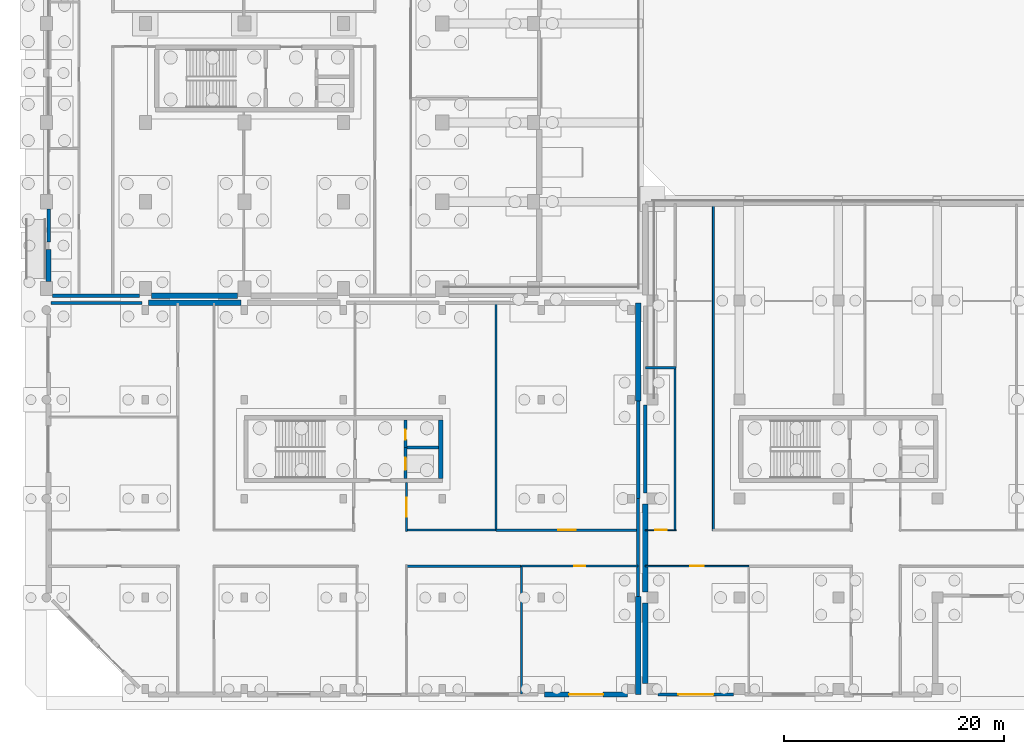
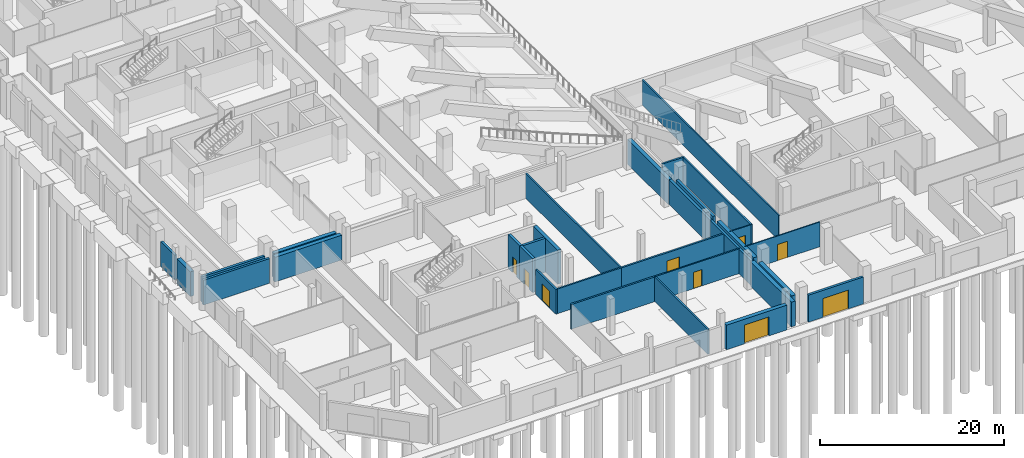
# One storey, part 14 of 53: 31 walls, 9 doors, 9 openings.
"""IFC4 building model written with IfcOpenShell, lengths in metres."""

from ifc_helpers import new_model, si_unit, direction, frame, frame_2d, origin, place, context, subcontext, project, spatial, rectangle, extrude, material, layer, layer_set, type_object, element, fill, save


model = new_model("IFC4")

# Units and contexts
model_context = context("Model", 3, precision=1e-05, world=origin(), true_north=direction((0.0, 1.0)))
body_context = subcontext(model_context, "Body", "Model", "MODEL_VIEW")
ifc_project = project(units=[si_unit("LENGTHUNIT", "METRE"), si_unit("AREAUNIT", "SQUARE_METRE"), si_unit("VOLUMEUNIT", "CUBIC_METRE"), si_unit("PLANEANGLEUNIT", "RADIAN"), si_unit("MASSUNIT", "GRAM", prefix="KILO"), si_unit("THERMODYNAMICTEMPERATUREUNIT", "KELVIN"), si_unit("POWERUNIT", "WATT")], contexts=[model_context])

# Site, building, storey
site_placement = place(None, origin())
site = spatial("IfcSite", under=ifc_project, at=site_placement, CompositionType="ELEMENT")
building_placement = place(site_placement, origin())
building = spatial("IfcBuilding", under=site, at=building_placement, Name="Sindhuravela Promenade Stadium", CompositionType="ELEMENT")
storey_placement = place(building_placement, origin())
storey = spatial("IfcBuildingStorey", under=building, at=storey_placement, Name="L00", CompositionType="ELEMENT", Elevation=0.0)

# Wall, opening, door
ifc_material_1 = material(Name="Dholpur sandstone ashlar (45 MPa)", Category="masonry")
ifc_layer_1 = layer(ifc_material_1, 0.2900390625)
ifc_layer_set_1 = layer_set([ifc_layer_1], Name="Dholpur sandstone ashlar (45 MPa)")
wall_type_1 = type_object("IfcWallType", Name="EX-WL-SND290", PredefinedType="SOLIDWALL", material=ifc_layer_set_1)
wall_1_placement = place(storey_placement, frame((62.4951171875, 0.199951171875, 0.0), z_axis=(0.0, 0.0, 1.0), x_axis=(-1.0, 0.0, 0.0)))
wall_1 = element("IfcWall", 1, at=wall_1_placement, inside=storey, type_object=wall_type_1, Name="Exterior masonry wall EW10 SOUTH L00", PredefinedType="SOLIDWALL", context=body_context, shape_type="SweptSolid", body=[
    extrude(rectangle(XDim=6.89013671875, YDim=0.2900390625, at=frame_2d((3.445068359375, 0.0))), origin(), (0.0, 0.0, 1.0), 3.580078125),
])
opening_1_placement = place(wall_1_placement, frame((1.844970703125, 0.0, 0.0)))
opening_1 = element("IfcOpeningElement", 2, at=opening_1_placement, cuts=wall_1, Name="Opening G09", PredefinedType="OPENING", context=body_context, shape_type="SweptSolid", body=[
    extrude(rectangle(XDim=3.199951171875, YDim=2.5, at=frame_2d((1.60009765625, 1.25))), frame((0.0, 0.155029296875, 0.0), z_axis=(0.0, -1.0, 0.0), x_axis=(1.0, 0.0, 0.0)), (0.0, 0.0, 1.0), 0.31005859375),
])
ifc_material_2 = material(Name="Anodised architectural aluminium 6063-T6", Category="aluminium")
door_type_1 = type_object("IfcDoorType", Name="DR-EXIT-3200x2500", OperationType="DOUBLE_DOOR_SINGLE_SWING", PredefinedType="DOOR", material=ifc_material_2)
door_1_placement = place(opening_1_placement, origin())
door_1 = element("IfcDoor", 3, at=door_1_placement, inside=storey, type_object=door_type_1, Name="Gate exit door G09", OperationType="DOUBLE_DOOR_SINGLE_SWING", OverallHeight=2.5, OverallWidth=3.199951171875, PredefinedType="DOOR", context=body_context, shape_type="SweptSolid", body=[
    extrude(rectangle(XDim=3.199951171875, YDim=2.5, at=frame_2d((1.60009765625, 1.25))), frame((0.0, 0.02490234375, 0.0), z_axis=(0.0, -1.0, 0.0), x_axis=(1.0, 0.0, 0.0)), (0.0, 0.0, 1.0), 0.050048828125),
])
fill(opening_1, door_1)

# Walls
wall_2_placement = place(storey_placement, frame((0.405029296875, 35.800048828125, 0.0), z_axis=(0.0, 0.0, 1.0), x_axis=(1.0, 0.0, 0.0)))
element("IfcWall", 4, at=wall_2_placement, inside=storey, type_object=wall_type_1, Name="Exterior masonry wall EW10 Pavilion SW L00", PredefinedType="SOLIDWALL", context=body_context, shape_type="SweptSolid", body=[
    extrude(rectangle(XDim=8.2900390625, YDim=0.2900390625, at=frame_2d((4.14501953125, 0.0))), origin(), (0.0, 0.0, 1.0), 3.280029296875),
])
wall_3_placement = place(storey_placement, frame((53.800048828125, 18.0, 0.0), z_axis=(0.0, 0.0, 1.0), x_axis=(0.0, -1.0, 0.0)))
element("IfcWall", 5, at=wall_3_placement, inside=storey, type_object=wall_type_1, Name="Exterior masonry wall EW10 Pavilion SW L00", PredefinedType="SOLIDWALL", context=body_context, shape_type="SweptSolid", body=[
    extrude(rectangle(XDim=8.89990234375, YDim=0.2900390625, at=frame_2d((4.449951171875, 0.0))), origin(), (0.0, 0.0, 1.0), 3.280029296875),
])
ifc_layer_2 = layer(ifc_material_1, 0.31005859375)
ifc_layer_set_2 = layer_set([ifc_layer_2], Name="Dholpur sandstone ashlar (45 MPa)")
wall_type_2 = type_object("IfcWallType", Name="EX-WL-SND310", PredefinedType="SOLIDWALL", material=ifc_layer_set_2)
wall_4_placement = place(storey_placement, frame((0.199951171875, 41.35498046875, 0.0), z_axis=(0.0, 0.0, 1.0), x_axis=(0.0, 1.0, 0.0)))
element("IfcWall", 6, at=wall_4_placement, inside=storey, type_object=wall_type_2, Name="Exterior masonry wall EW09 WEST L00", PredefinedType="SOLIDWALL", context=body_context, shape_type="SweptSolid", body=[
    extrude(rectangle(XDim=2.989990234375, YDim=0.31005859375, at=frame_2d((1.4951171875, 0.0))), origin(), (0.0, 0.0, 1.0), 3.280029296875),
])
wall_5_placement = place(storey_placement, frame((8.445068359375, 36.449951171875, 0.0), z_axis=(0.0, 0.0, 1.0), x_axis=(-1.0, 0.0, 0.0)))
element("IfcWall", 7, at=wall_5_placement, inside=storey, type_object=wall_type_2, Name="Exterior masonry wall EW09 WEST L00", PredefinedType="SOLIDWALL", context=body_context, shape_type="SweptSolid", body=[
    extrude(rectangle(XDim=7.89013671875, YDim=0.31005859375, at=frame_2d((3.945068359375, 0.0))), origin(), (0.0, 0.0, 1.0), 3.280029296875),
])
wall_6_placement = place(storey_placement, frame((54.449951171875, 18.5048828125, 0.0), z_axis=(0.0, 0.0, 1.0), x_axis=(0.0, 1.0, 0.0)))
element("IfcWall", 8, at=wall_6_placement, inside=storey, type_object=wall_type_2, Name="Exterior masonry wall EW09 SOUTH L00", PredefinedType="SOLIDWALL", context=body_context, shape_type="SweptSolid", body=[
    extrude(rectangle(XDim=7.990234375, YDim=0.31005859375, at=frame_2d((3.9951171875, 0.0))), origin(), (0.0, 0.0, 1.0), 3.280029296875),
])
wall_7_placement = place(storey_placement, frame((53.800048828125, 26.89990234375, 0.0), z_axis=(0.0, 0.0, 1.0), x_axis=(0.0, -1.0, 0.0)))
element("IfcWall", 9, at=wall_7_placement, inside=storey, type_object=wall_type_2, Name="Exterior masonry wall EW09 Pavilion SW L00", PredefinedType="SOLIDWALL", context=body_context, shape_type="SweptSolid", body=[
    extrude(rectangle(XDim=8.89990234375, YDim=0.31005859375, at=frame_2d((4.449951171875, 0.0))), origin(), (0.0, 0.0, 1.0), 3.280029296875),
])
ifc_layer_3 = layer(ifc_material_1, 0.47998046875)
ifc_layer_set_3 = layer_set([ifc_layer_3], Name="Dholpur sandstone ashlar (45 MPa)")
wall_type_3 = type_object("IfcWallType", Name="EX-WL-SND480", PredefinedType="SOLIDWALL", material=ifc_layer_set_3)
wall_8_placement = place(storey_placement, frame((0.199951171875, 37.7548828125, 0.0), z_axis=(0.0, 0.0, 1.0), x_axis=(0.0, 1.0, 0.0)))
element("IfcWall", 10, at=wall_8_placement, inside=storey, type_object=wall_type_3, Name="Exterior masonry wall EW08 WEST L00", PredefinedType="SOLIDWALL", context=body_context, shape_type="SweptSolid", body=[
    extrude(rectangle(XDim=2.89013671875, YDim=0.47998046875, at=frame_2d((1.445068359375, 0.0))), origin(), (0.0, 0.0, 1.0), 3.280029296875),
])
wall_9_placement = place(storey_placement, frame((17.39501953125, 36.449951171875, 0.0), z_axis=(0.0, 0.0, 1.0), x_axis=(-1.0, 0.0, 0.0)))
element("IfcWall", 11, at=wall_9_placement, inside=storey, type_object=wall_type_3, Name="Exterior masonry wall EW08 WEST L00", PredefinedType="SOLIDWALL", context=body_context, shape_type="SweptSolid", body=[
    extrude(rectangle(XDim=7.840087890625, YDim=0.47998046875, at=frame_2d((3.919921875, 0.0))), origin(), (0.0, 0.0, 1.0), 3.280029296875),
])
wall_10_placement = place(storey_placement, frame((54.449951171875, 9.5048828125, 0.0), z_axis=(0.0, 0.0, 1.0), x_axis=(0.0, 1.0, 0.0)))
element("IfcWall", 12, at=wall_10_placement, inside=storey, type_object=wall_type_3, Name="Exterior masonry wall EW08 SOUTH L00", PredefinedType="SOLIDWALL", context=body_context, shape_type="SweptSolid", body=[
    extrude(rectangle(XDim=7.990234375, YDim=0.47998046875, at=frame_2d((3.9951171875, 0.0))), origin(), (0.0, 0.0, 1.0), 3.280029296875),
])
wall_11_placement = place(storey_placement, frame((53.800048828125, 35.800048828125, 0.0), z_axis=(0.0, 0.0, 1.0), x_axis=(0.0, -1.0, 0.0)))
element("IfcWall", 13, at=wall_11_placement, inside=storey, type_object=wall_type_3, Name="Exterior masonry wall EW08 Pavilion SW L00", PredefinedType="SOLIDWALL", context=body_context, shape_type="SweptSolid", body=[
    extrude(rectangle(XDim=8.900146484375, YDim=0.47998046875, at=frame_2d((4.4501953125, 0.0))), origin(), (0.0, 0.0, 1.0), 3.280029296875),
])

# Wall, opening, door
wall_12_placement = place(storey_placement, frame((52.844970703125, 0.199951171875, 0.0), z_axis=(0.0, 0.0, 1.0), x_axis=(-1.0, 0.0, 0.0)))
wall_12 = element("IfcWall", 14, at=wall_12_placement, inside=storey, type_object=wall_type_3, Name="Exterior masonry wall EW08 Pavilion SW L00", PredefinedType="SOLIDWALL", context=body_context, shape_type="SweptSolid", body=[
    extrude(rectangle(XDim=7.5400390625, YDim=0.47998046875, at=frame_2d((3.77001953125, 0.0))), origin(), (0.0, 0.0, 1.0), 3.280029296875),
])
opening_2_placement = place(wall_12_placement, frame((2.219970703125, 0.0, 0.0)))
opening_2 = element("IfcOpeningElement", 15, at=opening_2_placement, cuts=wall_12, Name="Opening G14", PredefinedType="OPENING", context=body_context, shape_type="SweptSolid", body=[
    extrude(rectangle(XDim=3.10009765625, YDim=2.5, at=frame_2d((1.550048828125, 1.25))), frame((0.0, 0.25, 0.0), z_axis=(0.0, -1.0, 0.0), x_axis=(1.0, 0.0, 0.0)), (0.0, 0.0, 1.0), 0.5),
])
door_type_2 = type_object("IfcDoorType", Name="DR-EXIT-3100x2500", OperationType="DOUBLE_DOOR_SINGLE_SWING", PredefinedType="DOOR", material=ifc_material_2)
door_2_placement = place(opening_2_placement, origin())
door_2 = element("IfcDoor", 16, at=door_2_placement, inside=storey, type_object=door_type_2, Name="Gate exit door G14", OperationType="DOUBLE_DOOR_SINGLE_SWING", OverallHeight=2.5, OverallWidth=3.10009765625, PredefinedType="DOOR", context=body_context, shape_type="SweptSolid", body=[
    extrude(rectangle(XDim=3.10009765625, YDim=2.5, at=frame_2d((1.550048828125, 1.25))), frame((0.0, 0.02490234375, 0.0), z_axis=(0.0, -1.0, 0.0), x_axis=(1.0, 0.0, 0.0)), (0.0, 0.0, 1.0), 0.050048828125),
])
fill(opening_2, door_2)

# Walls
ifc_layer_4 = layer(ifc_material_1, 0.5)
ifc_layer_set_4 = layer_set([ifc_layer_4], Name="Dholpur sandstone ashlar (45 MPa)")
wall_type_4 = type_object("IfcWallType", Name="EX-WL-SND500", PredefinedType="SOLIDWALL", material=ifc_layer_set_4)
wall_13_placement = place(storey_placement, frame((54.449951171875, 1.205078125, 0.0), z_axis=(0.0, 0.0, 1.0), x_axis=(0.0, 1.0, 0.0)))
element("IfcWall", 17, at=wall_13_placement, inside=storey, type_object=wall_type_4, Name="Exterior masonry wall EW07 SOUTH L00", PredefinedType="SOLIDWALL", context=body_context, shape_type="SweptSolid", body=[
    extrude(rectangle(XDim=7.2900390625, YDim=0.5, at=frame_2d((3.64501953125, 0.0))), origin(), (0.0, 0.0, 1.0), 3.280029296875),
])
wall_14_placement = place(storey_placement, frame((9.304931640625, 35.800048828125, 0.0), z_axis=(0.0, 0.0, 1.0), x_axis=(1.0, 0.0, 0.0)))
element("IfcWall", 18, at=wall_14_placement, inside=storey, type_object=wall_type_4, Name="Exterior masonry wall EW07 Pavilion SW L00", PredefinedType="SOLIDWALL", context=body_context, shape_type="SweptSolid", body=[
    extrude(rectangle(XDim=8.39013671875, YDim=0.5, at=frame_2d((4.195068359375, 0.0))), origin(), (0.0, 0.0, 1.0), 3.280029296875),
])
wall_15_placement = place(storey_placement, frame((53.800048828125, 9.10009765625, 0.0), z_axis=(0.0, 0.0, 1.0), x_axis=(0.0, -1.0, 0.0)))
element("IfcWall", 19, at=wall_15_placement, inside=storey, type_object=wall_type_4, Name="Exterior masonry wall EW07 Pavilion SW L00", PredefinedType="SOLIDWALL", context=body_context, shape_type="SweptSolid", body=[
    extrude(rectangle(XDim=8.900146484375, YDim=0.5, at=frame_2d((4.4501953125, 0.0))), origin(), (0.0, 0.0, 1.0), 3.280029296875),
])

# Wall, opening, door
ifc_material_3 = material(Name="Fire-rated gypsum partition board", Category="gypsum")
ifc_layer_5 = layer(ifc_material_3, 0.110107421875)
ifc_layer_set_5 = layer_set([ifc_layer_5], Name="Fire-rated gypsum partition board")
wall_type_5 = type_object("IfcWallType", Name="IN-WL-PAR110", PredefinedType="PARTITIONING", material=ifc_layer_set_5)
wall_16_placement = place(storey_placement, frame((54.449951171875, 15.139892578125, 0.0), z_axis=(0.0, 0.0, 1.0), x_axis=(1.0, 0.0, 0.0)))
wall_16 = element("IfcWall", 20, at=wall_16_placement, inside=storey, type_object=wall_type_5, Name="Corridor partition IW06 Accessible WC South L00 7", PredefinedType="PARTITIONING", context=body_context, shape_type="SweptSolid", body=[
    extrude(rectangle(XDim=2.830078125, YDim=0.110107421875, at=frame_2d((1.4150390625, 0.0))), origin(), (0.0, 0.0, 1.0), 3.280029296875),
])
opening_3_placement = place(wall_16_placement, frame((0.889892578125, 0.0, 0.0)))
opening_3 = element("IfcOpeningElement", 21, at=opening_3_placement, cuts=wall_16, Name="Opening ID07", PredefinedType="OPENING", context=body_context, shape_type="SweptSolid", body=[
    extrude(rectangle(XDim=1.050048828125, YDim=2.10009765625, at=frame_2d((0.52490234375, 1.050048828125))), frame((0.0, 0.06494140625, 0.0), z_axis=(0.0, -1.0, 0.0), x_axis=(1.0, 0.0, 0.0)), (0.0, 0.0, 1.0), 0.130126953125),
])
ifc_material_4 = material(Name="Architectural teak timber leaf", Category="wood")
door_type_3 = type_object("IfcDoorType", Name="DR-INT-1050x2100", OperationType="NOTDEFINED", PredefinedType="DOOR", material=ifc_material_4)
door_3_placement = place(opening_3_placement, origin())
door_3 = element("IfcDoor", 22, at=door_3_placement, inside=storey, type_object=door_type_3, Name="Accessible WC South L00 7 door", OperationType="SINGLE_SWING_RIGHT", OverallHeight=2.10009765625, OverallWidth=1.050048828125, PredefinedType="DOOR", context=body_context, shape_type="SweptSolid", body=[
    extrude(rectangle(XDim=1.050048828125, YDim=2.10009765625, at=frame_2d((0.52490234375, 1.050048828125))), frame((0.0, 0.02490234375, 0.0), z_axis=(0.0, -1.0, 0.0), x_axis=(1.0, 0.0, 0.0)), (0.0, 0.0, 1.0), 0.050048828125),
])
fill(opening_3, door_3)

ifc_layer_6 = layer(ifc_material_3, 0.1298828125)
ifc_layer_set_6 = layer_set([ifc_layer_6], Name="Fire-rated gypsum partition board")
wall_type_6 = type_object("IfcWallType", Name="IN-WL-PAR130", PredefinedType="PARTITIONING", material=ifc_layer_set_6)
wall_17_placement = place(storey_placement, frame((63.864990234375, 11.860107421875, 0.0), z_axis=(0.0, 0.0, 1.0), x_axis=(-1.0, 0.0, 0.0)))
wall_17 = element("IfcWall", 23, at=wall_17_placement, inside=storey, type_object=wall_type_6, Name="Corridor partition IW05 Concessions Bulk Storage Room 4", PredefinedType="PARTITIONING", context=body_context, shape_type="SweptSolid", body=[
    extrude(rectangle(XDim=9.4150390625, YDim=0.1298828125, at=frame_2d((4.70751953125, 0.0))), origin(), (0.0, 0.0, 1.0), 3.280029296875),
])
opening_4_placement = place(wall_17_placement, frame((4.08251953125, 0.0, 0.0)))
opening_4 = element("IfcOpeningElement", 24, at=opening_4_placement, cuts=wall_17, Name="Opening ID04", PredefinedType="OPENING", context=body_context, shape_type="SweptSolid", body=[
    extrude(rectangle(XDim=1.25, YDim=2.14990234375, at=frame_2d((0.625, 1.074951171875))), frame((0.0, 0.074951171875, 0.0), z_axis=(0.0, -1.0, 0.0), x_axis=(1.0, 0.0, 0.0)), (0.0, 0.0, 1.0), 0.14990234375),
])
door_type_4 = type_object("IfcDoorType", Name="DR-INT-1250x2150", OperationType="NOTDEFINED", PredefinedType="DOOR", material=ifc_material_4)
door_4_placement = place(opening_4_placement, origin())
door_4 = element("IfcDoor", 25, at=door_4_placement, inside=storey, type_object=door_type_4, Name="Concessions Bulk Storage Room 4 door", OperationType="SINGLE_SWING_LEFT", OverallHeight=2.14990234375, OverallWidth=1.25, PredefinedType="DOOR", context=body_context, shape_type="SweptSolid", body=[
    extrude(rectangle(XDim=1.25, YDim=2.14990234375, at=frame_2d((0.625, 1.074951171875))), frame((0.0, 0.02490234375, 0.0), z_axis=(0.0, -1.0, 0.0), x_axis=(1.0, 0.0, 0.0)), (0.0, 0.0, 1.0), 0.050048828125),
])
fill(opening_4, door_4)

# Wall
ifc_layer_7 = layer(ifc_material_3, 0.175048828125)
ifc_layer_set_7 = layer_set([ifc_layer_7], Name="Fire-rated gypsum partition board")
wall_type_7 = type_object("IfcWallType", Name="IN-WL-PAR175", PredefinedType="PARTITIONING", material=ifc_layer_set_7)
wall_18_placement = place(storey_placement, frame((60.639892578125, 15.06005859375, 0.0), z_axis=(0.0, 0.0, 1.0), x_axis=(0.0, 1.0, 0.0)))
element("IfcWall", 26, at=wall_18_placement, inside=storey, type_object=wall_type_7, Name="Interior partition IW03 SOUTH L00", PredefinedType="PARTITIONING", context=body_context, shape_type="SweptSolid", body=[
    extrude(rectangle(XDim=29.699951171875, YDim=0.175048828125, at=frame_2d((14.85009765625, 0.0))), origin(), (0.0, 0.0, 1.0), 3.280029296875),
])

# Wall, opening, door
wall_19_placement = place(storey_placement, frame((53.800048828125, 11.860107421875, 0.0), z_axis=(0.0, 0.0, 1.0), x_axis=(-1.0, 0.0, 0.0)))
wall_19 = element("IfcWall", 27, at=wall_19_placement, inside=storey, type_object=wall_type_7, Name="Corridor partition IW03 Spectator Accreditation Foyer SW 3", PredefinedType="PARTITIONING", context=body_context, shape_type="SweptSolid", body=[
    extrude(rectangle(XDim=10.590087890625, YDim=0.175048828125, at=frame_2d((5.294921875, 0.0))), origin(), (0.0, 0.0, 1.0), 3.280029296875),
])
opening_5_placement = place(wall_19_placement, frame((4.784912109375, 0.0, 0.0)))
opening_5 = element("IfcOpeningElement", 28, at=opening_5_placement, cuts=wall_19, Name="Opening ID11", PredefinedType="OPENING", context=body_context, shape_type="SweptSolid", body=[
    extrude(rectangle(XDim=1.02001953125, YDim=2.159912109375, at=frame_2d((0.510009765625, 1.080078125))), frame((0.0, 0.097412109375, 0.0), z_axis=(0.0, -1.0, 0.0), x_axis=(1.0, 0.0, 0.0)), (0.0, 0.0, 1.0), 0.195068359375),
])
door_type_5 = type_object("IfcDoorType", Name="DR-INT-1020x2160", OperationType="NOTDEFINED", PredefinedType="DOOR", material=ifc_material_4)
door_5_placement = place(opening_5_placement, origin())
door_5 = element("IfcDoor", 29, at=door_5_placement, inside=storey, type_object=door_type_5, Name="Spectator Accreditation Foyer SW 3 door", OperationType="SINGLE_SWING_LEFT", OverallHeight=2.159912109375, OverallWidth=1.02001953125, PredefinedType="DOOR", context=body_context, shape_type="SweptSolid", body=[
    extrude(rectangle(XDim=1.02001953125, YDim=2.159912109375, at=frame_2d((0.510009765625, 1.080078125))), frame((0.0, 0.02490234375, 0.0), z_axis=(0.0, -1.0, 0.0), x_axis=(1.0, 0.0, 0.0)), (0.0, 0.0, 1.0), 0.050048828125),
])
fill(opening_5, door_5)

# Walls
ifc_layer_8 = layer(ifc_material_3, 0.195068359375)
ifc_layer_set_8 = layer_set([ifc_layer_8], Name="Fire-rated gypsum partition board")
wall_type_8 = type_object("IfcWallType", Name="IN-WL-PAR195", PredefinedType="PARTITIONING", material=ifc_layer_set_8)
wall_20_placement = place(storey_placement, frame((57.159912109375, 29.8701171875, 0.0), z_axis=(0.0, 0.0, 1.0), x_axis=(0.0, -1.0, 0.0)))
element("IfcWall", 30, at=wall_20_placement, inside=storey, type_object=wall_type_8, Name="Interior partition IW02 SOUTH L00", PredefinedType="PARTITIONING", context=body_context, shape_type="SweptSolid", body=[
    extrude(rectangle(XDim=14.81005859375, YDim=0.195068359375, at=frame_2d((7.405029296875, 0.0))), origin(), (0.0, 0.0, 1.0), 3.280029296875),
])
wall_21_placement = place(storey_placement, frame((40.86669921875, 15.06005859375, 0.0), z_axis=(0.0, 0.0, 1.0), x_axis=(0.0, 1.0, 0.0)))
element("IfcWall", 31, at=wall_21_placement, inside=storey, type_object=wall_type_8, Name="Interior partition IW02 Pavilion SW L00", PredefinedType="PARTITIONING", context=body_context, shape_type="SweptSolid", body=[
    extrude(rectangle(XDim=20.699951171875, YDim=0.195068359375, at=frame_2d((10.35009765625, 0.0))), origin(), (0.0, 0.0, 1.0), 3.280029296875),
])
wall_22_placement = place(storey_placement, frame((40.82666015625, 15.139892578125, 0.0), z_axis=(0.0, 0.0, 1.0), x_axis=(-1.0, 0.0, 0.0)))
element("IfcWall", 32, at=wall_22_placement, inside=storey, type_object=wall_type_8, Name="Interior partition IW02 Pavilion SW L00", PredefinedType="PARTITIONING", context=body_context, shape_type="SweptSolid", body=[
    extrude(rectangle(XDim=8.166748046875, YDim=0.195068359375, at=frame_2d((4.08349609375, 0.0))), origin(), (0.0, 0.0, 1.0), 3.280029296875),
])
wall_23_placement = place(storey_placement, frame((43.2099609375, 11.93994140625, 0.0), z_axis=(0.0, 0.0, 1.0), x_axis=(0.0, -1.0, 0.0)))
element("IfcWall", 33, at=wall_23_placement, inside=storey, type_object=wall_type_8, Name="Interior partition IW02 Pavilion SW L00", PredefinedType="PARTITIONING", context=body_context, shape_type="SweptSolid", body=[
    extrude(rectangle(XDim=11.699951171875, YDim=0.195068359375, at=frame_2d((5.85009765625, 0.0))), origin(), (0.0, 0.0, 1.0), 3.280029296875),
])
ifc_layer_9 = layer(ifc_material_3, 0.219970703125)
ifc_layer_set_9 = layer_set([ifc_layer_9], Name="Fire-rated gypsum partition board")
wall_type_9 = type_object("IfcWallType", Name="IN-WL-PAR220", PredefinedType="PARTITIONING", material=ifc_layer_set_9)
wall_24_placement = place(storey_placement, frame((54.489990234375, 29.909912109375, 0.0), z_axis=(0.0, 0.0, 1.0), x_axis=(1.0, 0.0, 0.0)))
element("IfcWall", 34, at=wall_24_placement, inside=storey, type_object=wall_type_9, Name="Interior partition IW01 SOUTH L00", PredefinedType="PARTITIONING", context=body_context, shape_type="SweptSolid", body=[
    extrude(rectangle(XDim=2.75, YDim=0.219970703125, at=frame_2d((1.375, 0.0))), origin(), (0.0, 0.0, 1.0), 3.280029296875),
])

# Wall, opening, door
wall_25_placement = place(storey_placement, frame((40.86669921875, 15.139892578125, 0.0), z_axis=(0.0, 0.0, 1.0), x_axis=(1.0, 0.0, 0.0)))
wall_25 = element("IfcWall", 35, at=wall_25_placement, inside=storey, type_object=wall_type_9, Name="Corridor partition IW01 Gate Ticketing Hall SW", PredefinedType="PARTITIONING", context=body_context, shape_type="SweptSolid", body=[
    extrude(rectangle(XDim=12.933349609375, YDim=0.219970703125, at=frame_2d((6.466796875, 0.0))), origin(), (0.0, 0.0, 1.0), 3.280029296875),
])
opening_6_placement = place(wall_25_placement, frame((5.691650390625, 0.0, 0.0)))
opening_6 = element("IfcOpeningElement", 36, at=opening_6_placement, cuts=wall_25, Name="Opening ID02", PredefinedType="OPENING", context=body_context, shape_type="SweptSolid", body=[
    extrude(rectangle(XDim=1.550048828125, YDim=2.199951171875, at=frame_2d((0.77490234375, 1.10009765625))), frame((0.0, 0.119873046875, 0.0), z_axis=(0.0, -1.0, 0.0), x_axis=(1.0, 0.0, 0.0)), (0.0, 0.0, 1.0), 0.239990234375),
])
door_type_6 = type_object("IfcDoorType", Name="DR-INT-1550x2200", OperationType="DOUBLE_DOOR_SINGLE_SWING", PredefinedType="DOOR", material=ifc_material_4)
door_6_placement = place(opening_6_placement, origin())
door_6 = element("IfcDoor", 37, at=door_6_placement, inside=storey, type_object=door_type_6, Name="Gate Ticketing Hall SW door", OperationType="DOUBLE_DOOR_SINGLE_SWING", OverallHeight=2.199951171875, OverallWidth=1.550048828125, PredefinedType="DOOR", context=body_context, shape_type="SweptSolid", body=[
    extrude(rectangle(XDim=1.550048828125, YDim=2.199951171875, at=frame_2d((0.77490234375, 1.10009765625))), frame((0.0, 0.02490234375, 0.0), z_axis=(0.0, -1.0, 0.0), x_axis=(1.0, 0.0, 0.0)), (0.0, 0.0, 1.0), 0.050048828125),
])
fill(opening_6, door_6)

wall_26_placement = place(storey_placement, frame((32.739990234375, 19.447998046875, 0.0), z_axis=(0.0, 0.0, 1.0), x_axis=(0.0, -1.0, 0.0)))
wall_26 = element("IfcWall", 38, at=wall_26_placement, inside=storey, type_object=wall_type_9, Name="Corridor partition IW01 Bag Check and Security Hall SW", PredefinedType="PARTITIONING", context=body_context, shape_type="SweptSolid", body=[
    extrude(rectangle(XDim=4.427978515625, YDim=0.219970703125, at=frame_2d((2.2138671875, 0.0))), origin(), (0.0, 0.0, 1.0), 3.280029296875),
])
opening_7_placement = place(wall_26_placement, frame((1.3779296875, 0.0, 0.0)))
opening_7 = element("IfcOpeningElement", 39, at=opening_7_placement, cuts=wall_26, Name="Opening ID01", PredefinedType="OPENING", context=body_context, shape_type="SweptSolid", body=[
    extrude(rectangle(XDim=1.699951171875, YDim=2.199951171875, at=frame_2d((0.85009765625, 1.10009765625))), frame((0.0, 0.119873046875, 0.0), z_axis=(0.0, -1.0, 0.0), x_axis=(1.0, 0.0, 0.0)), (0.0, 0.0, 1.0), 0.239990234375),
])
door_type_7 = type_object("IfcDoorType", Name="DR-INT-1700x2200", OperationType="DOUBLE_DOOR_SINGLE_SWING", PredefinedType="DOOR", material=ifc_material_4)
door_7_placement = place(opening_7_placement, origin())
door_7 = element("IfcDoor", 40, at=door_7_placement, inside=storey, type_object=door_type_7, Name="Bag Check and Security Hall SW door", OperationType="DOUBLE_DOOR_SINGLE_SWING", OverallHeight=2.199951171875, OverallWidth=1.699951171875, PredefinedType="DOOR", context=body_context, shape_type="SweptSolid", body=[
    extrude(rectangle(XDim=1.699951171875, YDim=2.199951171875, at=frame_2d((0.85009765625, 1.10009765625))), frame((0.0, 0.02490234375, 0.0), z_axis=(0.0, -1.0, 0.0), x_axis=(1.0, 0.0, 0.0)), (0.0, 0.0, 1.0), 0.050048828125),
])
fill(opening_7, door_7)

# Wall
wall_27_placement = place(storey_placement, frame((32.659912109375, 11.860107421875, 0.0), z_axis=(0.0, 0.0, 1.0), x_axis=(1.0, 0.0, 0.0)))
element("IfcWall", 41, at=wall_27_placement, inside=storey, type_object=wall_type_9, Name="Interior partition IW01 Pavilion SW L00", PredefinedType="PARTITIONING", context=body_context, shape_type="SweptSolid", body=[
    extrude(rectangle(XDim=10.510009765625, YDim=0.219970703125, at=frame_2d((5.2548828125, 0.0))), origin(), (0.0, 0.0, 1.0), 3.280029296875),
])

# Wall, opening, door
ifc_material_5 = material(Name="Concrete M50", Category="concrete")
ifc_layer_10 = layer(ifc_material_5, 0.300048828125)
ifc_layer_set_10 = layer_set([ifc_layer_10], Name="Concrete M50")
wall_type_10 = type_object("IfcWallType", Name="RC-SW-300", PredefinedType="SHEAR", material=ifc_layer_set_10)
wall_28_placement = place(storey_placement, frame((32.64990234375, 19.85009765625, 0.0), z_axis=(0.0, 0.0, 1.0), x_axis=(0.0, 1.0, 0.0)))
wall_28 = element("IfcWall", 42, at=wall_28_placement, inside=storey, type_object=wall_type_10, Name="Core shear wall C13-LFT (L00)", PredefinedType="SHEAR", context=body_context, shape_type="SweptSolid", body=[
    extrude(rectangle(XDim=2.7998046875, YDim=0.300048828125, at=frame_2d((1.39990234375, 0.0))), origin(), (0.0, 0.0, 1.0), 4.5),
])
opening_8_placement = place(wall_28_placement, frame((0.77490234375, 0.0, 0.0)))
opening_8 = element("IfcOpeningElement", 43, at=opening_8_placement, cuts=wall_28, Name="Opening LD", PredefinedType="OPENING", context=body_context, shape_type="SweptSolid", body=[
    extrude(rectangle(XDim=1.10009765625, YDim=2.10009765625, at=frame_2d((0.550048828125, 1.050048828125))), frame((0.0, 0.159912109375, 0.0), z_axis=(0.0, -1.0, 0.0), x_axis=(1.0, 0.0, 0.0)), (0.0, 0.0, 1.0), 0.320068359375),
])
ifc_material_6 = material(Name="Architectural wrought steel E350", Category="steel")
door_type_8 = type_object("IfcDoorType", Name="DR-LFT-1100x2100", OperationType="DOUBLE_DOOR_SLIDING", PredefinedType="DOOR", material=ifc_material_6)
door_8_placement = place(opening_8_placement, origin())
door_8 = element("IfcDoor", 44, at=door_8_placement, inside=storey, type_object=door_type_8, Name="Lift PL05 landing door (L00)", OperationType="DOUBLE_DOOR_SLIDING", OverallHeight=2.10009765625, OverallWidth=1.10009765625, PredefinedType="DOOR", context=body_context, shape_type="SweptSolid", body=[
    extrude(rectangle(XDim=1.10009765625, YDim=2.10009765625, at=frame_2d((0.550048828125, 1.050048828125))), frame((0.0, 0.02490234375, 0.0), z_axis=(0.0, -1.0, 0.0), x_axis=(1.0, 0.0, 0.0)), (0.0, 0.0, 1.0), 0.050048828125),
])
fill(opening_8, door_8)

wall_29_placement = place(storey_placement, frame((32.64990234375, 22.64990234375, 0.0), z_axis=(0.0, 0.0, 1.0), x_axis=(0.0, 1.0, 0.0)))
wall_29 = element("IfcWall", 45, at=wall_29_placement, inside=storey, type_object=wall_type_10, Name="Core shear wall C13-RSR (L00)", PredefinedType="SHEAR", context=body_context, shape_type="SweptSolid", body=[
    extrude(rectangle(XDim=2.5, YDim=0.300048828125, at=frame_2d((1.25, 0.0))), origin(), (0.0, 0.0, 1.0), 4.5),
])
opening_9_placement = place(wall_29_placement, frame((0.72509765625, 0.0, 0.0)))
opening_9 = element("IfcOpeningElement", 46, at=opening_9_placement, cuts=wall_29, Name="Opening FD03", PredefinedType="OPENING", context=body_context, shape_type="SweptSolid", body=[
    extrude(rectangle(XDim=0.89990234375, YDim=2.10009765625, at=frame_2d((0.449951171875, 1.050048828125))), frame((0.0, 0.159912109375, 0.0), z_axis=(0.0, -1.0, 0.0), x_axis=(1.0, 0.0, 0.0)), (0.0, 0.0, 1.0), 0.320068359375),
])
door_type_9 = type_object("IfcDoorType", Name="DR-RSR-900x2100", OperationType="NOTDEFINED", PredefinedType="DOOR", material=ifc_material_6)
door_9_placement = place(opening_9_placement, origin())
door_9 = element("IfcDoor", 47, at=door_9_placement, inside=storey, type_object=door_type_9, Name="Riser shaft access door C13 (L00)", OperationType="SINGLE_SWING_LEFT", OverallHeight=2.10009765625, OverallWidth=0.89990234375, PredefinedType="DOOR", context=body_context, shape_type="SweptSolid", body=[
    extrude(rectangle(XDim=0.89990234375, YDim=2.10009765625, at=frame_2d((0.449951171875, 1.050048828125))), frame((0.0, 0.02490234375, 0.0), z_axis=(0.0, -1.0, 0.0), x_axis=(1.0, 0.0, 0.0)), (0.0, 0.0, 1.0), 0.050048828125),
])
fill(opening_9, door_9)

# Walls
wall_30_placement = place(storey_placement, frame((32.800048828125, 22.64990234375, 0.0), z_axis=(0.0, 0.0, 1.0), x_axis=(1.0, 0.0, 0.0)))
element("IfcWall", 48, at=wall_30_placement, inside=storey, type_object=wall_type_10, Name="Core shear wall C13-DIV (L00)", PredefinedType="SHEAR", context=body_context, shape_type="SweptSolid", body=[
    extrude(rectangle(XDim=2.849853515625, YDim=0.300048828125, at=frame_2d((1.4248046875, 0.0))), origin(), (0.0, 0.0, 1.0), 4.5),
])
ifc_layer_11 = layer(ifc_material_5, 0.39990234375)
ifc_layer_set_11 = layer_set([ifc_layer_11], Name="Concrete M50")
wall_type_11 = type_object("IfcWallType", Name="RC-SW-400", PredefinedType="SHEAR", material=ifc_layer_set_11)
wall_31_placement = place(storey_placement, frame((35.85009765625, 19.85009765625, 0.0), z_axis=(0.0, 0.0, 1.0), x_axis=(0.0, 1.0, 0.0)))
element("IfcWall", 49, at=wall_31_placement, inside=storey, type_object=wall_type_11, Name="Core shear wall C13-E (L00)", PredefinedType="SHEAR", context=body_context, shape_type="SweptSolid", body=[
    extrude(rectangle(XDim=5.2998046875, YDim=0.39990234375, at=frame_2d((2.64990234375, 0.0))), origin(), (0.0, 0.0, 1.0), 4.5),
])

save(model, "model.ifc")
